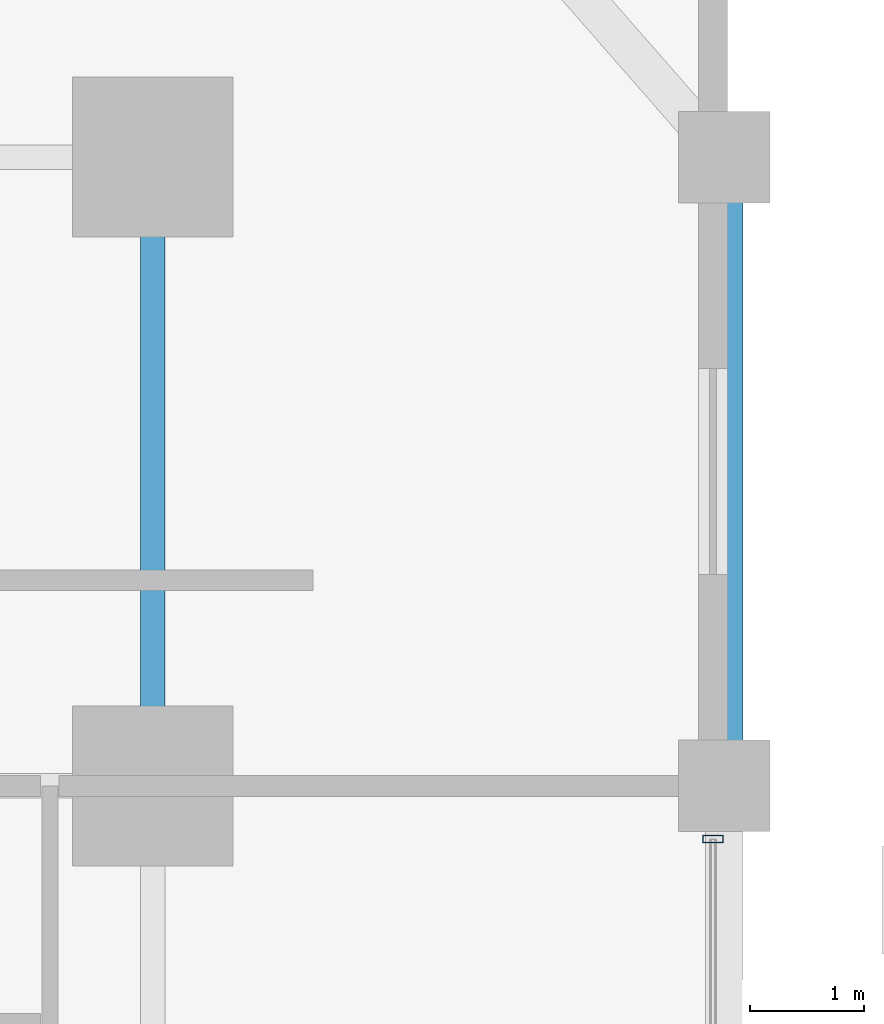
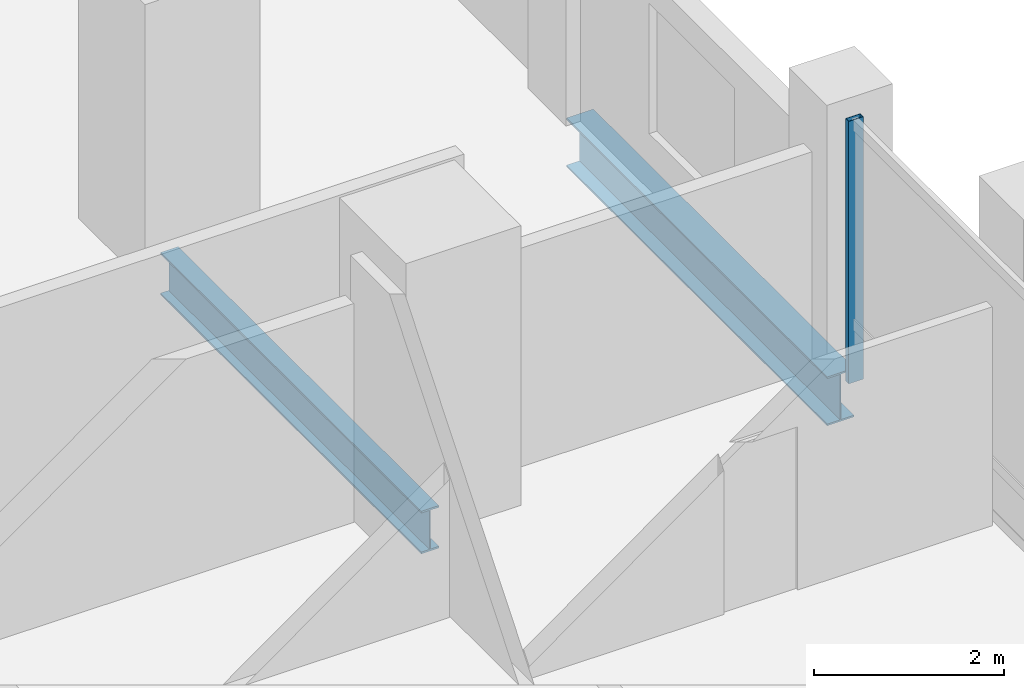
# One storey, part 15 of 23: 2 beams, 1 member, 1 element without a shape of its own.
"""IFC4 building model written with IfcOpenShell, lengths in metres."""

from ifc_helpers import new_model, si_unit, direction, frame, origin, origin_2d, place, context, subcontext, project, spatial, hollow_rectangle, i_section, extrude, material, layer, layer_set, material_profile, profile_set, type_object, element, aggregate, save


model = new_model("IFC4")

# Units and contexts
model_context = context("Model", 3, precision=1e-05, world=origin(), true_north=direction((0.0, 1.0)))
body_context = subcontext(model_context, "Body", "Model", "MODEL_VIEW")
ifc_project = project(units=[si_unit("LENGTHUNIT", "METRE"), si_unit("AREAUNIT", "SQUARE_METRE"), si_unit("VOLUMEUNIT", "CUBIC_METRE"), si_unit("PLANEANGLEUNIT", "RADIAN"), si_unit("MASSUNIT", "GRAM", prefix="KILO")], contexts=[model_context])

# Site, building, storey
site_placement = place(None, origin())
site = spatial("IfcSite", under=ifc_project, at=site_placement, CompositionType="ELEMENT")
building_placement = place(site_placement, origin())
building = spatial("IfcBuilding", under=site, at=building_placement, Name="Barlavira Tower and Art Museum", CompositionType="ELEMENT")
storey_placement = place(building_placement, frame((0.0, 0.0, 75.60009765625)))
storey = spatial("IfcBuildingStorey", under=building, at=storey_placement, Name="L18", CompositionType="ELEMENT", Elevation=75.60009765625)

# Curtain wall, member
ifc_material_1 = material(Name="Low-iron coastal laminated glass", Category="glass")
ifc_layer = layer(ifc_material_1, 0.179931640625, Name="Low-iron coastal laminated glass")
ifc_layer_set = layer_set([ifc_layer], Name="Low-iron coastal laminated glass")
curtain_wall_type = type_object("IfcCurtainWallType", Name="Pale-Metal Unitised Curtain Wall Zone 1", PredefinedType="NOTDEFINED", material=ifc_layer_set)
curtain_wall_placement = place(storey_placement, origin())
curtain_wall = element("IfcCurtainWall", 1, at=curtain_wall_placement, inside=storey, type_object=curtain_wall_type, Name="L18 Curtain Wall CW1-L18-E-B3", PredefinedType="NOTDEFINED")
ifc_material_2 = material(Name="Pale anodised aluminium", Category="aluminium")
ifc_material_profile_1 = material_profile(ifc_material_2, hollow_rectangle(XDim=0.06494140625, YDim=0.179931640625, WallThickness=0.00390625, at=origin_2d()), Name="ALU-MULL 65x180x4")
ifc_profile_set_1 = profile_set([ifc_material_profile_1], Name="Pale anodised aluminium")
member_type = type_object("IfcMemberType", Name="Curtain Wall Pale-Metal Mullion 65x180", PredefinedType="MULLION", material=ifc_profile_set_1)
member_placement = place(storey_placement, frame((21.89990234375, 7.034912109375, 0.0), z_axis=(0.0, 0.0, 1.0), x_axis=(0.0, 1.0, 0.0)))
member = element("IfcMember", 2, at=member_placement, type_object=member_type, Name="CW1-L18-E-B3 Mullion 3", PredefinedType="MULLION", context=body_context, shape_type="SweptSolid", body=[
    extrude(hollow_rectangle(XDim=0.06494140625, YDim=0.179931640625, WallThickness=0.00390625, at=origin_2d()), origin(), (0.0, 0.0, 1.0), 3.3798828125),
])
aggregate(curtain_wall, [member])

# Beams
ifc_material_3 = material(Name="Steel S355", Category="steel")
ifc_material_profile_2 = material_profile(ifc_material_3, i_section(OverallWidth=0.327880859375, OverallDepth=0.62890625, WebThickness=0.013916015625, FlangeThickness=0.021484375, at=origin_2d()), Name="W610x174.0")
ifc_profile_set_2 = profile_set([ifc_material_profile_2], Name="Steel S355")
beam_type_1 = type_object("IfcBeamType", Name="Perimeter Spandrel Edge Beam W610x174 Steel S355", PredefinedType="SPANDREL", material=ifc_profile_set_2)
beam_1_placement = place(storey_placement, frame((22.0, 7.5, -0.53466796875), z_axis=(0.0, 1.0, 0.0), x_axis=(-1.0, 0.0, 0.0)))
element("IfcBeam", 3, at=beam_1_placement, inside=storey, type_object=beam_type_1, Name="L18 Spandrel 7", PredefinedType="SPANDREL", context=body_context, shape_type="SweptSolid", body=[
    extrude(i_section(OverallWidth=0.327880859375, OverallDepth=0.62890625, WebThickness=0.013916015625, FlangeThickness=0.021484375, at=origin_2d()), origin(), (0.0, 0.0, 1.0), 5.5),
])
ifc_material_profile_3 = material_profile(ifc_material_3, i_section(OverallWidth=0.214111328125, OverallDepth=0.549072265625, WebThickness=0.0146484375, FlangeThickness=0.023681640625, at=origin_2d()), Name="W530x138.0")
ifc_profile_set_3 = profile_set([ifc_material_profile_3], Name="Steel S355")
beam_type_2 = type_object("IfcBeamType", Name="Zone 1 Primary Floor Girder W530x138 Steel S355", PredefinedType="BEAM", material=ifc_profile_set_3)
beam_2_placement = place(storey_placement, frame((17.0, 7.5, -0.49462890625), z_axis=(0.0, 1.0, 0.0), x_axis=(-1.0, 0.0, 0.0)))
element("IfcBeam", 4, at=beam_2_placement, inside=storey, type_object=beam_type_2, Name="L18 Girder M-E3", PredefinedType="BEAM", context=body_context, shape_type="SweptSolid", body=[
    extrude(i_section(OverallWidth=0.214111328125, OverallDepth=0.549072265625, WebThickness=0.0146484375, FlangeThickness=0.023681640625, at=origin_2d()), origin(), (0.0, 0.0, 1.0), 5.5),
])

save(model, "model.ifc")
